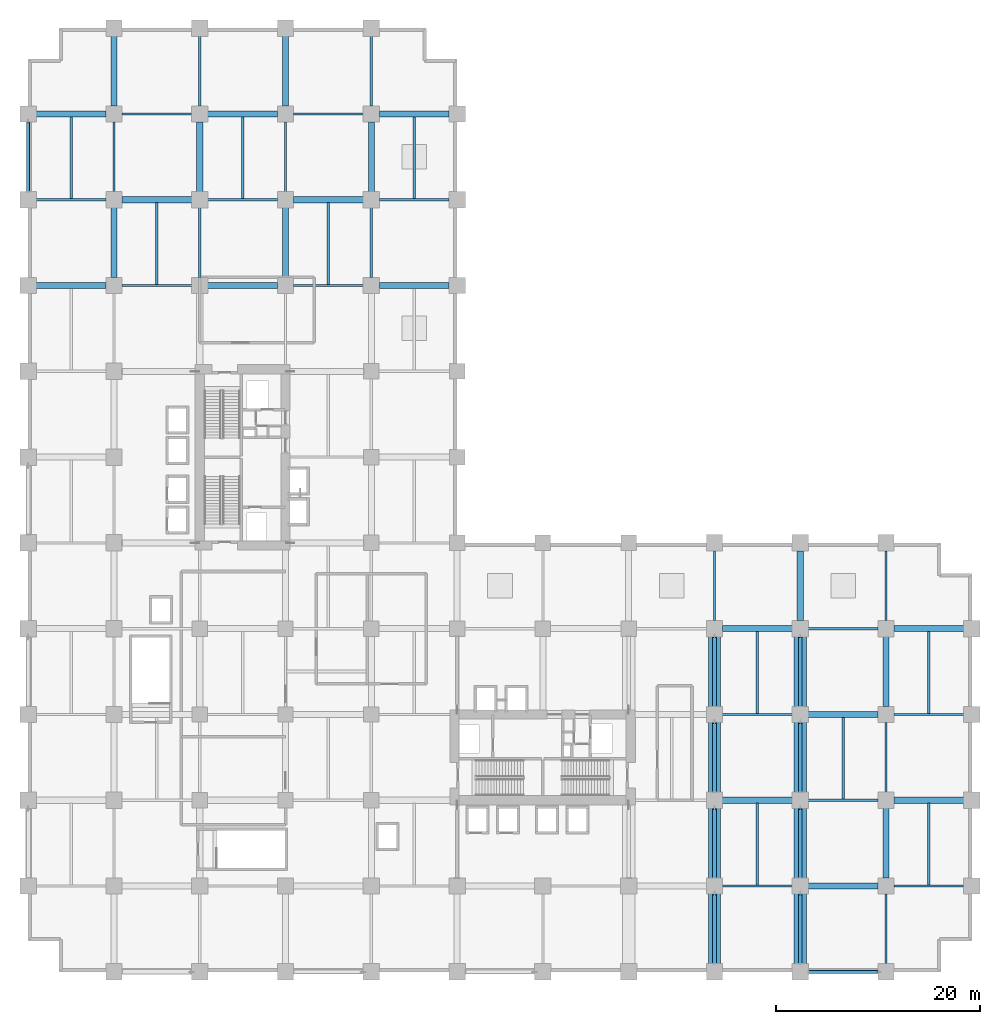
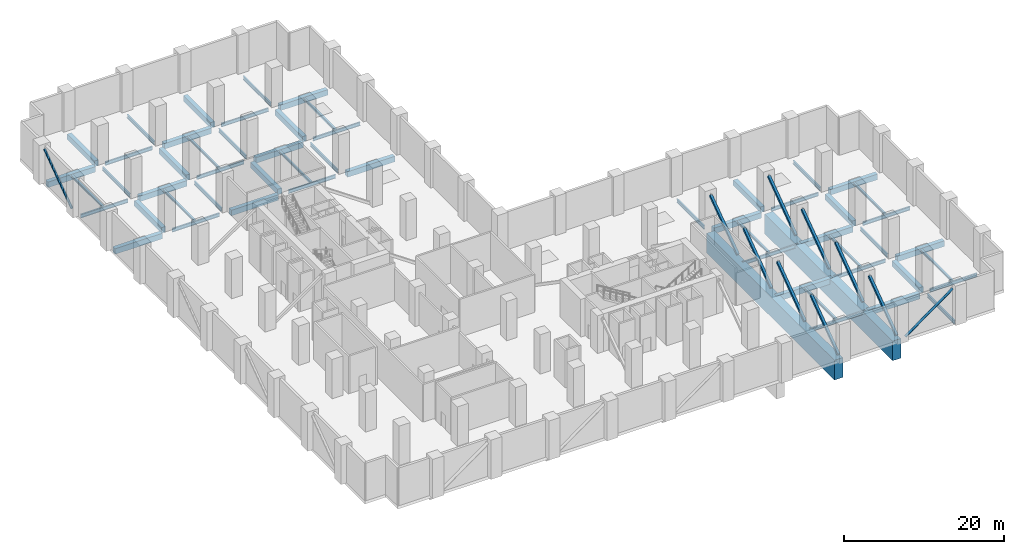
# One storey, part 3 of 20: 58 beams, 10 members.
"""IFC4 building model written with IfcOpenShell, lengths in metres."""

from ifc_helpers import new_model, si_unit, direction, frame, origin, origin_2d, place, context, subcontext, project, spatial, rectangle, hollow_rectangle, hollow_circle, i_section, extrude, material, material_profile, profile_set, type_object, element, save


model = new_model("IFC4")

# Units and contexts
model_context = context("Model", 3, precision=1e-05, world=origin(), true_north=direction((0.0, 1.0)))
body_context = subcontext(model_context, "Body", "Model", "MODEL_VIEW")
ifc_project = project(units=[si_unit("LENGTHUNIT", "METRE"), si_unit("AREAUNIT", "SQUARE_METRE"), si_unit("VOLUMEUNIT", "CUBIC_METRE"), si_unit("PLANEANGLEUNIT", "RADIAN"), si_unit("MASSUNIT", "GRAM", prefix="KILO")], contexts=[model_context])

# Site, building, storey
site_placement = place(None, origin())
site = spatial("IfcSite", under=ifc_project, at=site_placement, CompositionType="ELEMENT")
building_placement = place(site_placement, origin())
building = spatial("IfcBuilding", under=site, at=building_placement, Name="Koriwani Terraces Tower", CompositionType="ELEMENT")
storey_placement = place(building_placement, frame((0.0, 0.0, 26.0)))
storey = spatial("IfcBuildingStorey", under=building, at=storey_placement, Name="L05", CompositionType="ELEMENT", Elevation=26.0)

# Beams
ifc_material_1 = material(Name="Concrete C60/75", Category="concrete")
ifc_material_profile_1 = material_profile(ifc_material_1, rectangle(XDim=0.60009765625, YDim=0.85009765625, at=origin_2d()), Name="Concrete C60/75", Category="LoadBearing")
ifc_profile_set_1 = profile_set([ifc_material_profile_1], Name="Concrete C60/75")
beam_type_1 = type_object("IfcBeamType", Name="BEAM_RC_GRID_600X850", PredefinedType="BEAM", material=ifc_profile_set_1)
beam_1_placement = place(storey_placement, frame((75.739990234375, 8.39990234375, -0.875), z_axis=(1.0, 0.0, 0.0), x_axis=(0.0, 1.0, 0.0)))
element("IfcBeam", 1, at=beam_1_placement, inside=storey, type_object=beam_type_1, Name="L05 Grid Beam B (75.6-84.0m)", PredefinedType="BEAM", context=body_context, shape_type="SweptSolid", body=[
    extrude(rectangle(XDim=0.60009765625, YDim=0.85009765625, at=origin_2d()), origin(), (0.0, 0.0, 1.0), 7.47998046875),
])
beam_2_placement = place(storey_placement, frame((67.340087890625, 16.800048828125, -0.875), z_axis=(1.0, 0.0, 0.0), x_axis=(0.0, 1.0, 0.0)))
element("IfcBeam", 2, at=beam_2_placement, inside=storey, type_object=beam_type_1, Name="L05 Grid Beam C (67.2-75.6m)", PredefinedType="BEAM", context=body_context, shape_type="SweptSolid", body=[
    extrude(rectangle(XDim=0.60009765625, YDim=0.85009765625, at=origin_2d()), origin(), (0.0, 0.0, 1.0), 8.119873046875),
])
beam_3_placement = place(storey_placement, frame((84.780029296875, 16.800048828125, -0.875), z_axis=(1.0, 0.0, 0.0), x_axis=(0.0, 1.0, 0.0)))
element("IfcBeam", 3, at=beam_3_placement, inside=storey, type_object=beam_type_1, Name="L05 Grid Beam C (84.0-92.4m)", PredefinedType="BEAM", context=body_context, shape_type="SweptSolid", body=[
    extrude(rectangle(XDim=0.60009765625, YDim=0.85009765625, at=origin_2d()), origin(), (0.0, 0.0, 1.0), 6.840087890625),
])
beam_4_placement = place(storey_placement, frame((75.739990234375, 25.199951171875, -0.875), z_axis=(1.0, 0.0, 0.0), x_axis=(0.0, 1.0, 0.0)))
element("IfcBeam", 4, at=beam_4_placement, inside=storey, type_object=beam_type_1, Name="L05 Grid Beam D (75.6-84.0m)", PredefinedType="BEAM", context=body_context, shape_type="SweptSolid", body=[
    extrude(rectangle(XDim=0.60009765625, YDim=0.85009765625, at=origin_2d()), origin(), (0.0, 0.0, 1.0), 7.47998046875),
])
for number, where, z_axis, x_axis, name in (
    (5, (67.97998046875, 33.60009765625, -0.875), (1.0, 0.0, 0.0), (0.0, 1.0, 0.0), "L05 Grid Beam E (67.2-75.6m)"),
    (6, (84.780029296875, 33.60009765625, -0.875), (1.0, 0.0, 0.0), (0.0, 1.0, 0.0), "L05 Grid Beam E (84.0-92.4m)"),
    (7, (0.780029296875, 67.199951171875, -0.875), (1.0, 0.0, 0.0), (0.0, 1.0, 0.0), "L05 Grid Beam I (0.0-8.4m)"),
):
    element("IfcBeam", number, at=place(storey_placement, frame(where, z_axis=z_axis, x_axis=x_axis)), inside=storey, type_object=beam_type_1, Name=name, PredefinedType="BEAM", context=body_context, shape_type="SweptSolid", body=[
        extrude(rectangle(XDim=0.60009765625, YDim=0.85009765625, at=origin_2d()), origin(), (0.0, 0.0, 1.0), 6.840087890625),
    ])
beam_5_placement = place(storey_placement, frame((17.580078125, 67.199951171875, -0.875), z_axis=(1.0, 0.0, 0.0), x_axis=(0.0, 1.0, 0.0)))
element("IfcBeam", 8, at=beam_5_placement, inside=storey, type_object=beam_type_1, Name="L05 Grid Beam I (16.8-25.2m)", PredefinedType="BEAM", context=body_context, shape_type="SweptSolid", body=[
    extrude(rectangle(XDim=0.60009765625, YDim=0.85009765625, at=origin_2d()), origin(), (0.0, 0.0, 1.0), 6.83984375),
])
for number, where, z_axis, x_axis, name in (
    (9, (34.3798828125, 67.199951171875, -0.875), (1.0, 0.0, 0.0), (0.0, 1.0, 0.0), "L05 Grid Beam I (33.6-42.0m)"),
    (10, (9.179931640625, 75.60009765625, -0.875), (1.0, 0.0, 0.0), (0.0, 1.0, 0.0), "L05 Grid Beam J (8.4-16.8m)"),
    (11, (25.97998046875, 75.60009765625, -0.875), (1.0, 0.0, 0.0), (0.0, 1.0, 0.0), "L05 Grid Beam J (25.2-33.6m)"),
    (12, (0.780029296875, 84.0, -0.875), (1.0, 0.0, 0.0), (0.0, 1.0, 0.0), "L05 Grid Beam K (0.0-8.4m)"),
):
    element("IfcBeam", number, at=place(storey_placement, frame(where, z_axis=z_axis, x_axis=x_axis)), inside=storey, type_object=beam_type_1, Name=name, PredefinedType="BEAM", context=body_context, shape_type="SweptSolid", body=[
        extrude(rectangle(XDim=0.60009765625, YDim=0.85009765625, at=origin_2d()), origin(), (0.0, 0.0, 1.0), 6.840087890625),
    ])
beam_6_placement = place(storey_placement, frame((17.580078125, 84.0, -0.875), z_axis=(1.0, 0.0, 0.0), x_axis=(0.0, 1.0, 0.0)))
element("IfcBeam", 13, at=beam_6_placement, inside=storey, type_object=beam_type_1, Name="L05 Grid Beam K (16.8-25.2m)", PredefinedType="BEAM", context=body_context, shape_type="SweptSolid", body=[
    extrude(rectangle(XDim=0.60009765625, YDim=0.85009765625, at=origin_2d()), origin(), (0.0, 0.0, 1.0), 6.83984375),
])
for number, where, z_axis, x_axis, name in (
    (14, (34.3798828125, 84.0, -0.875), (1.0, 0.0, 0.0), (0.0, 1.0, 0.0), "L05 Grid Beam K (33.6-42.0m)"),
    (15, (8.39990234375, 67.97998046875, -0.875), (0.0, 1.0, 0.0), (-1.0, 0.0, 0.0), "L05 Grid Beam 2 (67.2-75.6m)"),
    (16, (8.39990234375, 84.780029296875, -0.875), (0.0, 1.0, 0.0), (-1.0, 0.0, 0.0), "L05 Grid Beam 2 (84.0-92.4m)"),
    (17, (16.800048828125, 76.3798828125, -0.875), (0.0, 1.0, 0.0), (-1.0, 0.0, 0.0), "L05 Grid Beam 3 (75.6-84.0m)"),
    (18, (25.199951171875, 67.97998046875, -0.875), (0.0, 1.0, 0.0), (-1.0, 0.0, 0.0), "L05 Grid Beam 4 (67.2-75.6m)"),
    (19, (25.199951171875, 84.780029296875, -0.875), (0.0, 1.0, 0.0), (-1.0, 0.0, 0.0), "L05 Grid Beam 4 (84.0-92.4m)"),
    (20, (33.60009765625, 76.3798828125, -0.875), (0.0, 1.0, 0.0), (-1.0, 0.0, 0.0), "L05 Grid Beam 5 (75.6-84.0m)"),
    (21, (75.60009765625, 34.3798828125, -0.875), (0.0, 1.0, 0.0), (-1.0, 0.0, 0.0), "L05 Grid Beam 10 (33.6-42.0m)"),
    (22, (84.0, 9.179931640625, -0.875), (0.0, 1.0, 0.0), (-1.0, 0.0, 0.0), "L05 Grid Beam 11 (8.4-16.8m)"),
    (23, (84.0, 25.97998046875, -0.875), (0.0, 1.0, 0.0), (-1.0, 0.0, 0.0), "L05 Grid Beam 11 (25.2-33.6m)"),
):
    element("IfcBeam", number, at=place(storey_placement, frame(where, z_axis=z_axis, x_axis=x_axis)), inside=storey, type_object=beam_type_1, Name=name, PredefinedType="BEAM", context=body_context, shape_type="SweptSolid", body=[
        extrude(rectangle(XDim=0.60009765625, YDim=0.85009765625, at=origin_2d()), origin(), (0.0, 0.0, 1.0), 6.840087890625),
    ])
ifc_material_profile_2 = material_profile(ifc_material_1, rectangle(XDim=1.199951171875, YDim=3.0, at=origin_2d()), Name="Concrete C60/75", Category="LoadBearing")
ifc_profile_set_2 = profile_set([ifc_material_profile_2], Name="Concrete C60/75")
beam_type_2 = type_object("IfcBeamType", Name="BEAM_RC_TRANSFER_1200X3000", PredefinedType="USERDEFINED", material=ifc_profile_set_2)
for number, where, z_axis, x_axis, name in (
    (24, (67.199951171875, 0.77001953125, -1.949951171875), (0.0, 1.0, 0.0), (-1.0, 0.0, 0.0), "L05 Ballroom Transfer Girder X=67.2m"),
    (25, (75.60009765625, 0.77001953125, -1.949951171875), (0.0, 1.0, 0.0), (-1.0, 0.0, 0.0), "L05 Ballroom Transfer Girder X=75.6m"),
):
    element("IfcBeam", number, at=place(storey_placement, frame(where, z_axis=z_axis, x_axis=x_axis)), inside=storey, type_object=beam_type_2, Name=name, ObjectType="GIRDER", PredefinedType="USERDEFINED", context=body_context, shape_type="SweptSolid", body=[
        extrude(rectangle(XDim=1.199951171875, YDim=3.0, at=origin_2d()), origin(), (0.0, 0.0, 1.0), 32.06005859375),
    ])

# Members
ifc_material_2 = material(Name="Steel ASTM A572 Grade 50", Category="steel")
ifc_material_profile_3 = material_profile(ifc_material_2, hollow_circle(Radius=0.177978515625, WallThickness=0.012451171875, at=origin_2d()), Name="Steel ASTM A572 Grade 50", Category="LoadBearing")
ifc_profile_set_3 = profile_set([ifc_material_profile_3], Name="Steel ASTM A572 Grade 50")
member_type_1 = type_object("IfcMemberType", Name="BELT_TRUSS_DIAG_CHS356X12", PredefinedType="BRACE", material=ifc_profile_set_3)
for number, where, z_axis, x_axis, name in (
    (26, (76.3798828125, 0.0, 0.25), (0.810123018581, 0.0, 0.586259920824), (0.0, 1.0, 0.0), "Belt truss diagonal L05-BS4"),
    (27, (0.0, 76.3798828125, 0.25), (0.0, 0.810123018581, 0.586259920824), (-1.0, 0.0, 0.0), "Belt truss diagonal L05-BW4"),
):
    element("IfcMember", number, at=place(storey_placement, frame(where, z_axis=z_axis, x_axis=x_axis)), inside=storey, type_object=member_type_1, Name=name, PredefinedType="BRACE", context=body_context, shape_type="SweptSolid", body=[
        extrude(hollow_circle(Radius=0.177978515625, WallThickness=0.012451171875, at=origin_2d()), origin(), (0.0, 0.0, 1.0), 8.443359375),
    ])
ifc_material_profile_4 = material_profile(ifc_material_2, hollow_rectangle(XDim=0.35009765625, YDim=0.35009765625, WallThickness=0.01611328125, at=origin_2d()), Name="Steel ASTM A572 Grade 50", Category="LoadBearing")
ifc_profile_set_4 = profile_set([ifc_material_profile_4], Name="Steel ASTM A572 Grade 50")
member_type_2 = type_object("IfcMemberType", Name="OUTRIGGER_BRACE_HSS350X350X16", PredefinedType="BRACE", material=ifc_profile_set_4)
for number, where, z_axis, x_axis, name in (
    (28, (67.199951171875, 0.780029296875, 0.25), (0.0, 0.810123018581, 0.586259920824), (-1.0, 0.0, 0.0), "Transfer truss web diagonal L05 X=67.2m (0.0-8.4m)"),
    (29, (67.199951171875, 9.179931640625, 0.25), (0.0, 0.810123018581, 0.586259920824), (-1.0, 0.0, 0.0), "Transfer truss web diagonal L05 X=67.2m (8.4-16.8m)"),
):
    element("IfcMember", number, at=place(storey_placement, frame(where, z_axis=z_axis, x_axis=x_axis)), inside=storey, type_object=member_type_2, Name=name, PredefinedType="BRACE", context=body_context, shape_type="SweptSolid", body=[
        extrude(hollow_rectangle(XDim=0.35009765625, YDim=0.35009765625, WallThickness=0.01611328125, at=origin_2d()), origin(), (0.0, 0.0, 1.0), 8.443359375),
    ])
member_1_placement = place(storey_placement, frame((67.199951171875, 17.580078125, 0.25), z_axis=(0.0, 0.810113079986, 0.586273654223), x_axis=(-1.0, 0.0, 0.0)))
element("IfcMember", 30, at=member_1_placement, inside=storey, type_object=member_type_2, Name="Transfer truss web diagonal L05 X=67.2m (16.8-25.2m)", PredefinedType="BRACE", context=body_context, shape_type="SweptSolid", body=[
    extrude(hollow_rectangle(XDim=0.35009765625, YDim=0.35009765625, WallThickness=0.01611328125, at=origin_2d()), origin(), (0.0, 0.0, 1.0), 8.443115234375),
])
for number, where, z_axis, x_axis, name in (
    (31, (67.199951171875, 25.97998046875, 0.25), (0.0, 0.810123018581, 0.586259920824), (-1.0, 0.0, 0.0), "Transfer truss web diagonal L05 X=67.2m (25.2-33.6m)"),
    (32, (75.60009765625, 0.780029296875, 0.25), (0.0, 0.810123018581, 0.586259920824), (-1.0, 0.0, 0.0), "Transfer truss web diagonal L05 X=75.6m (0.0-8.4m)"),
    (33, (75.60009765625, 9.179931640625, 0.25), (0.0, 0.810123018581, 0.586259920824), (-1.0, 0.0, 0.0), "Transfer truss web diagonal L05 X=75.6m (8.4-16.8m)"),
):
    element("IfcMember", number, at=place(storey_placement, frame(where, z_axis=z_axis, x_axis=x_axis)), inside=storey, type_object=member_type_2, Name=name, PredefinedType="BRACE", context=body_context, shape_type="SweptSolid", body=[
        extrude(hollow_rectangle(XDim=0.35009765625, YDim=0.35009765625, WallThickness=0.01611328125, at=origin_2d()), origin(), (0.0, 0.0, 1.0), 8.443359375),
    ])
member_2_placement = place(storey_placement, frame((75.60009765625, 17.580078125, 0.25), z_axis=(0.0, 0.810113079986, 0.586273654223), x_axis=(-1.0, 0.0, 0.0)))
element("IfcMember", 34, at=member_2_placement, inside=storey, type_object=member_type_2, Name="Transfer truss web diagonal L05 X=75.6m (16.8-25.2m)", PredefinedType="BRACE", context=body_context, shape_type="SweptSolid", body=[
    extrude(hollow_rectangle(XDim=0.35009765625, YDim=0.35009765625, WallThickness=0.01611328125, at=origin_2d()), origin(), (0.0, 0.0, 1.0), 8.443115234375),
])
member_3_placement = place(storey_placement, frame((75.60009765625, 25.97998046875, 0.25), z_axis=(0.0, 0.810123018581, 0.586259920824), x_axis=(-1.0, 0.0, 0.0)))
element("IfcMember", 35, at=member_3_placement, inside=storey, type_object=member_type_2, Name="Transfer truss web diagonal L05 X=75.6m (25.2-33.6m)", PredefinedType="BRACE", context=body_context, shape_type="SweptSolid", body=[
    extrude(hollow_rectangle(XDim=0.35009765625, YDim=0.35009765625, WallThickness=0.01611328125, at=origin_2d()), origin(), (0.0, 0.0, 1.0), 8.443359375),
])

# Beams
ifc_material_profile_5 = material_profile(ifc_material_2, i_section(OverallWidth=0.257080078125, OverallDepth=0.363037109375, WebThickness=0.012939453125, FlangeThickness=0.021728515625, at=origin_2d()), Name="Steel ASTM A572 Grade 50", Category="LoadBearing")
ifc_profile_set_5 = profile_set([ifc_material_profile_5], Name="Steel ASTM A572 Grade 50")
beam_type_3 = type_object("IfcBeamType", Name="STEEL_BEAM_W360X122", PredefinedType="JOIST", material=ifc_profile_set_5)
beam_7_placement = place(storey_placement, frame((4.199951171875, 75.695556640625, -0.631591796875), z_axis=(0.0, 1.0, 0.0), x_axis=(-1.0, 0.0, 0.0)))
element("IfcBeam", 36, at=beam_7_placement, inside=storey, type_object=beam_type_3, Name="L05 Secondary Steel Floor Joist X=4.2m", PredefinedType="JOIST", context=body_context, shape_type="SweptSolid", body=[
    extrude(i_section(OverallWidth=0.257080078125, OverallDepth=0.363037109375, WebThickness=0.012939453125, FlangeThickness=0.021728515625, at=origin_2d()), origin(), (0.0, 0.0, 1.0), 8.014404296875),
])
beam_8_placement = place(storey_placement, frame((12.60009765625, 67.29541015625, -0.631591796875), z_axis=(0.0, 1.0, 0.0), x_axis=(-1.0, 0.0, 0.0)))
element("IfcBeam", 37, at=beam_8_placement, inside=storey, type_object=beam_type_3, Name="L05 Secondary Steel Floor Joist X=12.6m", PredefinedType="JOIST", context=body_context, shape_type="SweptSolid", body=[
    extrude(i_section(OverallWidth=0.257080078125, OverallDepth=0.363037109375, WebThickness=0.012939453125, FlangeThickness=0.021728515625, at=origin_2d()), origin(), (0.0, 0.0, 1.0), 8.0146484375),
])
beam_9_placement = place(storey_placement, frame((21.0, 75.695556640625, -0.631591796875), z_axis=(0.0, 1.0, 0.0), x_axis=(-1.0, 0.0, 0.0)))
element("IfcBeam", 38, at=beam_9_placement, inside=storey, type_object=beam_type_3, Name="L05 Secondary Steel Floor Joist X=21.0m", PredefinedType="JOIST", context=body_context, shape_type="SweptSolid", body=[
    extrude(i_section(OverallWidth=0.257080078125, OverallDepth=0.363037109375, WebThickness=0.012939453125, FlangeThickness=0.021728515625, at=origin_2d()), origin(), (0.0, 0.0, 1.0), 8.014404296875),
])
beam_10_placement = place(storey_placement, frame((29.39990234375, 67.29541015625, -0.631591796875), z_axis=(0.0, 1.0, 0.0), x_axis=(-1.0, 0.0, 0.0)))
element("IfcBeam", 39, at=beam_10_placement, inside=storey, type_object=beam_type_3, Name="L05 Secondary Steel Floor Joist X=29.4m", PredefinedType="JOIST", context=body_context, shape_type="SweptSolid", body=[
    extrude(i_section(OverallWidth=0.257080078125, OverallDepth=0.363037109375, WebThickness=0.012939453125, FlangeThickness=0.021728515625, at=origin_2d()), origin(), (0.0, 0.0, 1.0), 8.0146484375),
])
for number, where, z_axis, x_axis, name in (
    (40, (37.800048828125, 75.695556640625, -0.631591796875), (0.0, 1.0, 0.0), (-1.0, 0.0, 0.0), "L05 Secondary Steel Floor Joist X=37.8m"),
    (41, (71.39990234375, 8.49560546875, -0.631591796875), (0.0, 1.0, 0.0), (-1.0, 0.0, 0.0), "L05 Secondary Steel Floor Joist X=71.4m"),
):
    element("IfcBeam", number, at=place(storey_placement, frame(where, z_axis=z_axis, x_axis=x_axis)), inside=storey, type_object=beam_type_3, Name=name, PredefinedType="JOIST", context=body_context, shape_type="SweptSolid", body=[
        extrude(i_section(OverallWidth=0.257080078125, OverallDepth=0.363037109375, WebThickness=0.012939453125, FlangeThickness=0.021728515625, at=origin_2d()), origin(), (0.0, 0.0, 1.0), 8.014404296875),
    ])
beam_11_placement = place(storey_placement, frame((71.39990234375, 25.29541015625, -0.631591796875), z_axis=(0.0, 1.0, 0.0), x_axis=(-1.0, 0.0, 0.0)))
element("IfcBeam", 42, at=beam_11_placement, inside=storey, type_object=beam_type_3, Name="L05 Secondary Steel Floor Joist X=71.4m", PredefinedType="JOIST", context=body_context, shape_type="SweptSolid", body=[
    extrude(i_section(OverallWidth=0.257080078125, OverallDepth=0.363037109375, WebThickness=0.012939453125, FlangeThickness=0.021728515625, at=origin_2d()), origin(), (0.0, 0.0, 1.0), 8.0146484375),
])
for number, where, z_axis, x_axis, name in (
    (43, (79.800048828125, 16.8955078125, -0.631591796875), (0.0, 1.0, 0.0), (-1.0, 0.0, 0.0), "L05 Secondary Steel Floor Joist X=79.8m"),
    (44, (88.199951171875, 8.49560546875, -0.631591796875), (0.0, 1.0, 0.0), (-1.0, 0.0, 0.0), "L05 Secondary Steel Floor Joist X=88.2m"),
):
    element("IfcBeam", number, at=place(storey_placement, frame(where, z_axis=z_axis, x_axis=x_axis)), inside=storey, type_object=beam_type_3, Name=name, PredefinedType="JOIST", context=body_context, shape_type="SweptSolid", body=[
        extrude(i_section(OverallWidth=0.257080078125, OverallDepth=0.363037109375, WebThickness=0.012939453125, FlangeThickness=0.021728515625, at=origin_2d()), origin(), (0.0, 0.0, 1.0), 8.014404296875),
    ])
beam_12_placement = place(storey_placement, frame((88.199951171875, 25.29541015625, -0.631591796875), z_axis=(0.0, 1.0, 0.0), x_axis=(-1.0, 0.0, 0.0)))
element("IfcBeam", 45, at=beam_12_placement, inside=storey, type_object=beam_type_3, Name="L05 Secondary Steel Floor Joist X=88.2m", PredefinedType="JOIST", context=body_context, shape_type="SweptSolid", body=[
    extrude(i_section(OverallWidth=0.257080078125, OverallDepth=0.363037109375, WebThickness=0.012939453125, FlangeThickness=0.021728515625, at=origin_2d()), origin(), (0.0, 0.0, 1.0), 8.0146484375),
])
ifc_material_profile_6 = material_profile(ifc_material_2, i_section(OverallWidth=0.2109375, OverallDepth=0.5390625, WebThickness=0.01171875, FlangeThickness=0.018798828125, at=origin_2d()), Name="Steel ASTM A572 Grade 50", Category="LoadBearing")
ifc_profile_set_6 = profile_set([ifc_material_profile_6], Name="Steel ASTM A572 Grade 50")
beam_type_4 = type_object("IfcBeamType", Name="STEEL_BEAM_W530X109", PredefinedType="BEAM", material=ifc_profile_set_6)
beam_13_placement = place(storey_placement, frame((67.340087890625, 8.39990234375, -0.719482421875), z_axis=(1.0, 0.0, 0.0), x_axis=(0.0, 1.0, 0.0)))
element("IfcBeam", 46, at=beam_13_placement, inside=storey, type_object=beam_type_4, Name="L05 Grid Beam B (67.2-75.6m)", PredefinedType="BEAM", context=body_context, shape_type="SweptSolid", body=[
    extrude(i_section(OverallWidth=0.2109375, OverallDepth=0.5390625, WebThickness=0.01171875, FlangeThickness=0.018798828125, at=origin_2d()), origin(), (0.0, 0.0, 1.0), 8.119873046875),
])
beam_14_placement = place(storey_placement, frame((84.780029296875, 8.39990234375, -0.719482421875), z_axis=(1.0, 0.0, 0.0), x_axis=(0.0, 1.0, 0.0)))
element("IfcBeam", 47, at=beam_14_placement, inside=storey, type_object=beam_type_4, Name="L05 Grid Beam B (84.0-92.4m)", PredefinedType="BEAM", context=body_context, shape_type="SweptSolid", body=[
    extrude(i_section(OverallWidth=0.2109375, OverallDepth=0.5390625, WebThickness=0.01171875, FlangeThickness=0.018798828125, at=origin_2d()), origin(), (0.0, 0.0, 1.0), 6.840087890625),
])
beam_15_placement = place(storey_placement, frame((75.739990234375, 16.800048828125, -0.719482421875), z_axis=(1.0, 0.0, 0.0), x_axis=(0.0, 1.0, 0.0)))
element("IfcBeam", 48, at=beam_15_placement, inside=storey, type_object=beam_type_4, Name="L05 Grid Beam C (75.6-84.0m)", PredefinedType="BEAM", context=body_context, shape_type="SweptSolid", body=[
    extrude(i_section(OverallWidth=0.2109375, OverallDepth=0.5390625, WebThickness=0.01171875, FlangeThickness=0.018798828125, at=origin_2d()), origin(), (0.0, 0.0, 1.0), 7.47998046875),
])
beam_16_placement = place(storey_placement, frame((67.340087890625, 25.199951171875, -0.719482421875), z_axis=(1.0, 0.0, 0.0), x_axis=(0.0, 1.0, 0.0)))
element("IfcBeam", 49, at=beam_16_placement, inside=storey, type_object=beam_type_4, Name="L05 Grid Beam D (67.2-75.6m)", PredefinedType="BEAM", context=body_context, shape_type="SweptSolid", body=[
    extrude(i_section(OverallWidth=0.2109375, OverallDepth=0.5390625, WebThickness=0.01171875, FlangeThickness=0.018798828125, at=origin_2d()), origin(), (0.0, 0.0, 1.0), 8.119873046875),
])
for number, where, z_axis, x_axis, name in (
    (50, (84.780029296875, 25.199951171875, -0.719482421875), (1.0, 0.0, 0.0), (0.0, 1.0, 0.0), "L05 Grid Beam D (84.0-92.4m)"),
    (51, (76.3798828125, 33.60009765625, -0.719482421875), (1.0, 0.0, 0.0), (0.0, 1.0, 0.0), "L05 Grid Beam E (75.6-84.0m)"),
    (52, (9.179931640625, 67.199951171875, -0.719482421875), (1.0, 0.0, 0.0), (0.0, 1.0, 0.0), "L05 Grid Beam I (8.4-16.8m)"),
    (53, (25.97998046875, 67.199951171875, -0.719482421875), (1.0, 0.0, 0.0), (0.0, 1.0, 0.0), "L05 Grid Beam I (25.2-33.6m)"),
    (54, (0.780029296875, 75.60009765625, -0.719482421875), (1.0, 0.0, 0.0), (0.0, 1.0, 0.0), "L05 Grid Beam J (0.0-8.4m)"),
):
    element("IfcBeam", number, at=place(storey_placement, frame(where, z_axis=z_axis, x_axis=x_axis)), inside=storey, type_object=beam_type_4, Name=name, PredefinedType="BEAM", context=body_context, shape_type="SweptSolid", body=[
        extrude(i_section(OverallWidth=0.2109375, OverallDepth=0.5390625, WebThickness=0.01171875, FlangeThickness=0.018798828125, at=origin_2d()), origin(), (0.0, 0.0, 1.0), 6.840087890625),
    ])
beam_17_placement = place(storey_placement, frame((17.580078125, 75.60009765625, -0.719482421875), z_axis=(1.0, 0.0, 0.0), x_axis=(0.0, 1.0, 0.0)))
element("IfcBeam", 55, at=beam_17_placement, inside=storey, type_object=beam_type_4, Name="L05 Grid Beam J (16.8-25.2m)", PredefinedType="BEAM", context=body_context, shape_type="SweptSolid", body=[
    extrude(i_section(OverallWidth=0.2109375, OverallDepth=0.5390625, WebThickness=0.01171875, FlangeThickness=0.018798828125, at=origin_2d()), origin(), (0.0, 0.0, 1.0), 6.83984375),
])
for number, where, z_axis, x_axis, name in (
    (56, (34.3798828125, 75.60009765625, -0.719482421875), (1.0, 0.0, 0.0), (0.0, 1.0, 0.0), "L05 Grid Beam J (33.6-42.0m)"),
    (57, (9.179931640625, 84.0, -0.719482421875), (1.0, 0.0, 0.0), (0.0, 1.0, 0.0), "L05 Grid Beam K (8.4-16.8m)"),
    (58, (25.97998046875, 84.0, -0.719482421875), (1.0, 0.0, 0.0), (0.0, 1.0, 0.0), "L05 Grid Beam K (25.2-33.6m)"),
    (59, (8.39990234375, 76.3798828125, -0.719482421875), (0.0, 1.0, 0.0), (-1.0, 0.0, 0.0), "L05 Grid Beam 2 (75.6-84.0m)"),
    (60, (16.800048828125, 67.97998046875, -0.719482421875), (0.0, 1.0, 0.0), (-1.0, 0.0, 0.0), "L05 Grid Beam 3 (67.2-75.6m)"),
    (61, (16.800048828125, 84.780029296875, -0.719482421875), (0.0, 1.0, 0.0), (-1.0, 0.0, 0.0), "L05 Grid Beam 3 (84.0-92.4m)"),
    (62, (25.199951171875, 76.3798828125, -0.719482421875), (0.0, 1.0, 0.0), (-1.0, 0.0, 0.0), "L05 Grid Beam 4 (75.6-84.0m)"),
    (63, (33.60009765625, 67.97998046875, -0.719482421875), (0.0, 1.0, 0.0), (-1.0, 0.0, 0.0), "L05 Grid Beam 5 (67.2-75.6m)"),
    (64, (33.60009765625, 84.780029296875, -0.719482421875), (0.0, 1.0, 0.0), (-1.0, 0.0, 0.0), "L05 Grid Beam 5 (84.0-92.4m)"),
    (65, (67.199951171875, 34.3798828125, -0.719482421875), (0.0, 1.0, 0.0), (-1.0, 0.0, 0.0), "L05 Grid Beam 9 (33.6-42.0m)"),
    (66, (84.0, 0.780029296875, -0.719482421875), (0.0, 1.0, 0.0), (-1.0, 0.0, 0.0), "L05 Grid Beam 11 (0.0-8.4m)"),
):
    element("IfcBeam", number, at=place(storey_placement, frame(where, z_axis=z_axis, x_axis=x_axis)), inside=storey, type_object=beam_type_4, Name=name, PredefinedType="BEAM", context=body_context, shape_type="SweptSolid", body=[
        extrude(i_section(OverallWidth=0.2109375, OverallDepth=0.5390625, WebThickness=0.01171875, FlangeThickness=0.018798828125, at=origin_2d()), origin(), (0.0, 0.0, 1.0), 6.840087890625),
    ])
beam_18_placement = place(storey_placement, frame((84.0, 17.580078125, -0.719482421875), z_axis=(0.0, 1.0, 0.0), x_axis=(-1.0, 0.0, 0.0)))
element("IfcBeam", 67, at=beam_18_placement, inside=storey, type_object=beam_type_4, Name="L05 Grid Beam 11 (16.8-25.2m)", PredefinedType="BEAM", context=body_context, shape_type="SweptSolid", body=[
    extrude(i_section(OverallWidth=0.2109375, OverallDepth=0.5390625, WebThickness=0.01171875, FlangeThickness=0.018798828125, at=origin_2d()), origin(), (0.0, 0.0, 1.0), 6.83984375),
])
beam_19_placement = place(storey_placement, frame((84.0, 34.3798828125, -0.719482421875), z_axis=(0.0, 1.0, 0.0), x_axis=(-1.0, 0.0, 0.0)))
element("IfcBeam", 68, at=beam_19_placement, inside=storey, type_object=beam_type_4, Name="L05 Grid Beam 11 (33.6-42.0m)", PredefinedType="BEAM", context=body_context, shape_type="SweptSolid", body=[
    extrude(i_section(OverallWidth=0.2109375, OverallDepth=0.5390625, WebThickness=0.01171875, FlangeThickness=0.018798828125, at=origin_2d()), origin(), (0.0, 0.0, 1.0), 6.840087890625),
])

save(model, "model.ifc")
